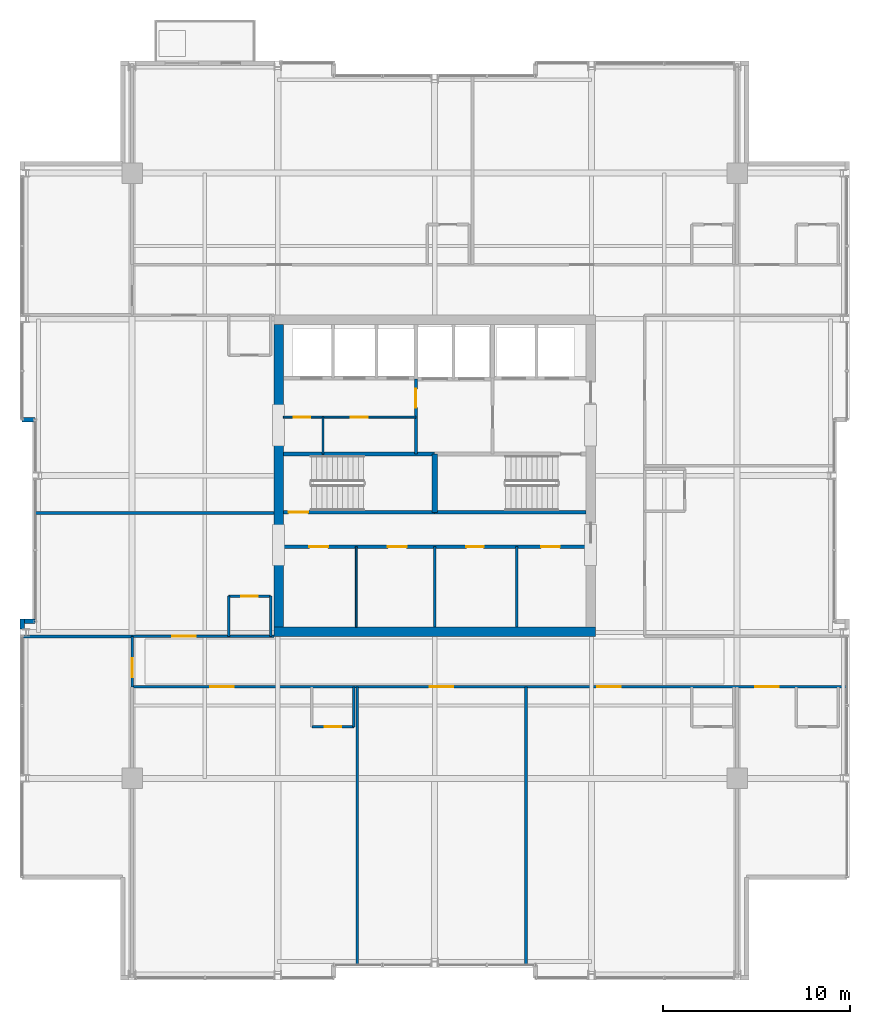
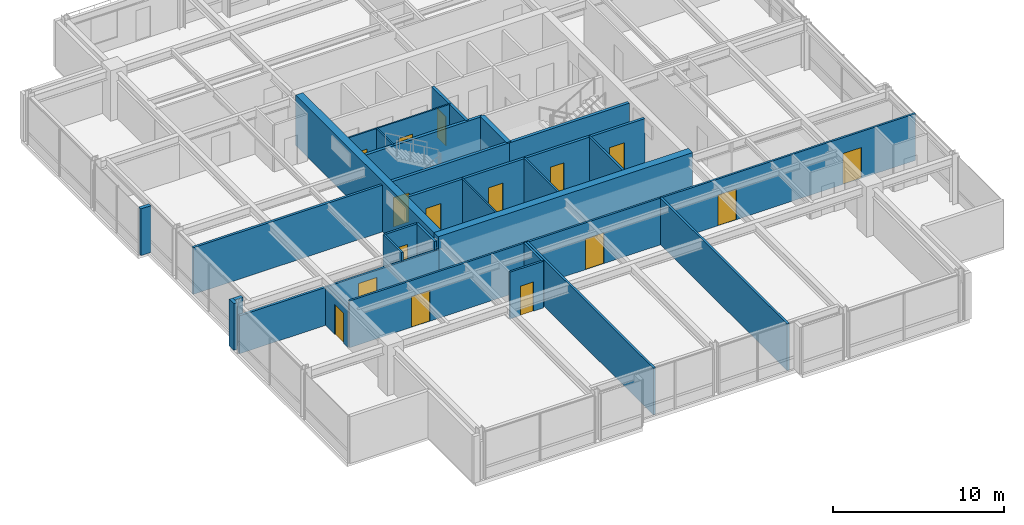
# One storey, part 25 of 30: 28 walls, 16 doors, 16 openings.
"""IFC4 building model written with IfcOpenShell, lengths in metres."""

import ifcopenshell
import ifcopenshell.guid

model = None  # the IFC model being written
_history = None  # IfcOwnerHistory: only IFC2X3 demands one
_inside = {}  # id of a spatial element -> (the spatial element, [elements in it])
_under = {}  # id of a project, library or spatial element -> (it, [spatial elements below it])
_declared = {}  # id of a project -> (the project, [libraries it declares])
_typed = {}  # id of a type object -> (the type object, [elements of that type])
_made_of = {}  # id of a material, layer set ... -> (it, [elements and type objects made of it])


def new_model(schema):
    """Start an empty IFC model of exactly this schema.

    Asked for "IFC4X3", IfcOpenShell would pick the latest addendum, in which some entities
    have other attributes; the version numbers below select the first issue.
    IFC2X3 requires an IfcOwnerHistory on every rooted entity: one is made here for all.
    """
    global model, _history
    if schema == "IFC4X3":
        model = ifcopenshell.file(schema_version=(4, 3, 0, 0))
    else:
        model = ifcopenshell.file(schema=schema)
    _inside.clear()
    _under.clear()
    _declared.clear()
    _typed.clear()
    _made_of.clear()
    _history = None
    if model.schema == "IFC2X3":
        org = make("IfcOrganization", Name="unknown")
        user = make(
            "IfcPersonAndOrganization",
            ThePerson=make("IfcPerson", FamilyName="unknown"),
            TheOrganization=org,
        )
        app = make(
            "IfcApplication",
            ApplicationDeveloper=org,
            Version="unknown",
            ApplicationFullName="unknown",
            ApplicationIdentifier="unknown",
        )
        _history = make(
            "IfcOwnerHistory",
            OwningUser=user,
            OwningApplication=app,
            ChangeAction="ADDED",
            CreationDate=0,
        )
    return model


def make(cls, **values):
    """One entity of the class cls with the attributes given. An attribute that is None is left unset."""
    return model.create_entity(
        cls, **{name: value for name, value in values.items() if value is not None}
    )


def rooted(cls, **values):
    """An entity with a GlobalId (a new one), such as an element, a storey or a relation."""
    return make(cls, GlobalId=ifcopenshell.guid.new(), OwnerHistory=_history, **values)


def si_unit(unit_type, name, prefix=None):
    """IfcSIUnit, for example si_unit("LENGTHUNIT", "METRE", prefix="MILLI")."""
    return make("IfcSIUnit", UnitType=unit_type, Prefix=prefix, Name=name)


def assignment(units):
    """IfcUnitAssignment: the units of a project."""
    return None if units is None else make("IfcUnitAssignment", Units=units)


def point(xyz):
    """IfcCartesianPoint."""
    return None if xyz is None else make("IfcCartesianPoint", Coordinates=xyz)


def direction(xyz):
    """IfcDirection."""
    return None if xyz is None else make("IfcDirection", DirectionRatios=xyz)


def frame(location, z_axis=None, x_axis=None):
    """IfcAxis2Placement3D, a coordinate frame: its origin and axes. An axis left out is left unset."""
    return make(
        "IfcAxis2Placement3D",
        Location=point(location),
        Axis=direction(z_axis),
        RefDirection=direction(x_axis),
    )


def frame_2d(location, x_axis=None):
    """IfcAxis2Placement2D, a coordinate frame in the plane: its origin and x axis."""
    return make(
        "IfcAxis2Placement2D", Location=point(location), RefDirection=direction(x_axis)
    )


def origin():
    """The frame at (0, 0, 0) with its axes left unset."""
    return frame((0.0, 0.0, 0.0))


def place(relative_to, where):
    """IfcLocalPlacement: puts the frame where relative to a parent placement (None: the world)."""
    return make(
        "IfcLocalPlacement", PlacementRelTo=relative_to, RelativePlacement=where
    )


def context(
    kind, dimensions, precision=None, world=None, true_north=None, identifier=None
):
    """IfcGeometricRepresentationContext, for example the 3D "Model" context."""
    return make(
        "IfcGeometricRepresentationContext",
        ContextIdentifier=identifier,
        ContextType=kind,
        CoordinateSpaceDimension=dimensions,
        Precision=precision,
        WorldCoordinateSystem=world,
        TrueNorth=true_north,
    )


def subcontext(parent, identifier, kind, view, scale=None):
    """IfcGeometricRepresentationSubContext, for example "Body" below "Model"."""
    return make(
        "IfcGeometricRepresentationSubContext",
        ContextIdentifier=identifier,
        ContextType=kind,
        ParentContext=parent,
        TargetScale=scale,
        TargetView=view,
    )


def project(units=None, contexts=None):
    """IfcProject with its units and contexts."""
    return rooted(
        "IfcProject",
        Name="project",
        RepresentationContexts=contexts,
        UnitsInContext=assignment(units),
    )


def spatial(cls, under=None, at=None, **own):
    """A site, building, storey or space (cls), placed at a placement, below another one or the project."""
    s = rooted(cls, ObjectPlacement=at, **own)
    if under is not None:
        _under.setdefault(under.id(), (under, []))[1].append(s)
    return s


def profile(cls, at=None, kind="AREA", **sizes):
    """A parametric profile (cls). Its sizes go by their IFC names, for example OverallWidth=200.0."""
    return make(cls, ProfileType=kind, Position=at, **sizes)


def rectangle(**sizes):
    """IfcRectangleProfileDef."""
    return profile("IfcRectangleProfileDef", **sizes)


def extrude(swept, where, along, depth):
    """IfcExtrudedAreaSolid: the profile swept, set in the frame where, extruded along a direction by depth."""
    return make(
        "IfcExtrudedAreaSolid",
        SweptArea=swept,
        Position=where,
        ExtrudedDirection=direction(along),
        Depth=depth,
    )


def shape(context_of_items, identifier, shape_type, items):
    """IfcShapeRepresentation: the items that make up one representation, for example the "Body"."""
    return make(
        "IfcShapeRepresentation",
        ContextOfItems=context_of_items,
        RepresentationIdentifier=identifier,
        RepresentationType=shape_type,
        Items=items,
    )


def material(Name=None, Category=None):
    """IfcMaterial."""
    return make("IfcMaterial", Name=Name, Category=Category)


def layer(
    of_material, thickness, ventilated=None, Name=None, Category=None, Priority=None
):
    """IfcMaterialLayer: one layer of a wall or slab, of a material (None: an air gap)."""
    return make(
        "IfcMaterialLayer",
        Material=of_material,
        LayerThickness=thickness,
        IsVentilated=ventilated,
        Name=Name,
        Category=Category,
        Priority=Priority,
    )


def layer_set(layers, Name=None):
    """IfcMaterialLayerSet."""
    return make("IfcMaterialLayerSet", MaterialLayers=layers, LayerSetName=Name)


def made_of(thing, what):
    """Note that an element or type object is made of a material, layer set ...; save() writes the relation."""
    if what is not None:
        _made_of.setdefault(what.id(), (what, []))[1].append(thing)
    return thing


def type_object(cls, material=None, **own):
    """A type object (cls), such as IfcWallType, which elements share."""
    return made_of(rooted(cls, **own), material)


def element(
    cls,
    number,
    at=None,
    inside=None,
    cuts=None,
    type_object=None,
    material=None,
    context=None,
    identifier="Body",
    shape_type=None,
    held_by="IfcProductDefinitionShape",
    body=None,
    shapes=None,
    **own,
):
    """One element of the class cls, such as IfcWall. Its Tag is "e" and its number.

    at: its placement. inside: the storey or other place that contains it. cuts: it is an
    opening in that element (IfcRelVoidsElement). A single representation is given by context,
    identifier, shape_type and body (its items); several are given by shapes. held_by: the class
    of the entity that holds the representations. save() writes the other relations.
    """
    e = rooted(cls, Tag="e%d" % number, ObjectPlacement=at, **own)
    if body is not None:
        shapes = [shape(context, identifier, shape_type, body)]
    if shapes is not None:
        e.Representation = make(held_by, Representations=shapes)
    if inside is not None:
        _inside.setdefault(inside.id(), (inside, []))[1].append(e)
    if cuts is not None:
        rooted(
            "IfcRelVoidsElement", RelatingBuildingElement=cuts, RelatedOpeningElement=e
        )
    if type_object is not None:
        _typed.setdefault(type_object.id(), (type_object, []))[1].append(e)
    return made_of(e, material)


def fill(opening, filler):
    """IfcRelFillsElement: the door or window that sits in an opening."""
    return rooted(
        "IfcRelFillsElement",
        RelatingOpeningElement=opening,
        RelatedBuildingElement=filler,
    )


def aggregate(whole, parts):
    """IfcRelAggregates: a whole, such as a stair, and the parts it consists of."""
    return rooted("IfcRelAggregates", RelatingObject=whole, RelatedObjects=parts)


def save(model, path):
    """Write the relations noted so far, then the file.

    IfcRelAggregates (storeys below a building ...), IfcRelContainedInSpatialStructure (elements
    in a storey), IfcRelDefinesByType, IfcRelAssociatesMaterial and IfcRelDeclares: one each for
    every whole, place, type object, material and project.
    """
    for whole, parts in _under.values():
        aggregate(whole, parts)
    for where, things in _inside.values():
        rooted(
            "IfcRelContainedInSpatialStructure",
            RelatedElements=things,
            RelatingStructure=where,
        )
    for kind, things in _typed.values():
        rooted("IfcRelDefinesByType", RelatedObjects=things, RelatingType=kind)
    for what, things in _made_of.values():
        rooted("IfcRelAssociatesMaterial", RelatedObjects=things, RelatingMaterial=what)
    for by, libraries in _declared.values():
        rooted("IfcRelDeclares", RelatingContext=by, RelatedDefinitions=libraries)
    model.write(path)


model = new_model("IFC4")

# Units and contexts
model_context = context("Model", 3, precision=1e-05, world=origin(), true_north=direction((0.0, 1.0)))
body_context = subcontext(model_context, "Body", "Model", "MODEL_VIEW")
ifc_project = project(units=[si_unit("LENGTHUNIT", "METRE"), si_unit("AREAUNIT", "SQUARE_METRE"), si_unit("VOLUMEUNIT", "CUBIC_METRE"), si_unit("PLANEANGLEUNIT", "RADIAN"), si_unit("MASSUNIT", "GRAM", prefix="KILO")], contexts=[model_context])

# Site, building, storey
site_placement = place(None, origin())
site = spatial("IfcSite", under=ifc_project, at=site_placement, CompositionType="ELEMENT")
building_placement = place(site_placement, origin())
building = spatial("IfcBuilding", under=site, at=building_placement, Name="Drelvath Grand Hotel", CompositionType="ELEMENT")
storey_placement = place(building_placement, frame((0.0, 0.0, 215.89990234375)))
storey = spatial("IfcBuildingStorey", under=building, at=storey_placement, Name="L56", CompositionType="ELEMENT", Elevation=215.89990234375)

# Wall, openings, doors
ifc_material_1 = material(Name="Gypsum Partition Board")
ifc_layer_1 = layer(ifc_material_1, 0.10009765625)
ifc_layer_set_1 = layer_set([ifc_layer_1], Name="Gypsum Partition Board")
wall_type_1 = type_object("IfcWallType", Name="Core Closet Partition 100", PredefinedType="PARTITIONING", material=ifc_layer_set_1)
wall_1_placement = place(storey_placement, frame((-8.10009765625, 30.139892578125, 0.0), z_axis=(0.0, 0.0, 1.0), x_axis=(1.0, 0.0, 0.0)))
wall_1 = element("IfcWall", 1, at=wall_1_placement, inside=storey, type_object=wall_type_1, Name="L56 High-Rise Lobby Closet Wall", PredefinedType="PARTITIONING", context=body_context, shape_type="SweptSolid", body=[
    extrude(rectangle(XDim=7.10009765625, YDim=0.10009765625, at=frame_2d((3.550048828125, 0.0))), origin(), (0.0, 0.0, 1.0), 3.340087890625),
])
opening_1_placement = place(wall_1_placement, frame((0.550048828125, 0.0, 0.0)))
opening_1 = element("IfcOpeningElement", 2, at=opening_1_placement, cuts=wall_1, Name="Opening D-T4G2-013", PredefinedType="OPENING", context=body_context, shape_type="SweptSolid", body=[
    extrude(rectangle(XDim=0.8798828125, YDim=2.10009765625, at=frame_2d((0.43994140625, 1.050048828125))), frame((0.0, 0.06005859375, 0.0), z_axis=(0.0, -1.0, 0.0), x_axis=(1.0, 0.0, 0.0)), (0.0, 0.0, 1.0), 0.1201171875),
])
opening_2_placement = place(wall_1_placement, frame((3.60009765625, 0.0, 0.0)))
opening_2 = element("IfcOpeningElement", 3, at=opening_2_placement, cuts=wall_1, Name="Opening D-T4G2-014", PredefinedType="OPENING", context=body_context, shape_type="SweptSolid", body=[
    extrude(rectangle(XDim=0.919921875, YDim=2.10009765625, at=frame_2d((0.4599609375, 1.050048828125))), frame((0.0, 0.06005859375, 0.0), z_axis=(0.0, -1.0, 0.0), x_axis=(1.0, 0.0, 0.0)), (0.0, 0.0, 1.0), 0.1201171875),
])
ifc_material_2 = material(Name="Hardwood Walnut Timber", Category="wood")
door_type_1 = type_object("IfcDoorType", Name="En-Suite Bathroom Door 880x2100", OperationType="NOTDEFINED", PredefinedType="DOOR", material=ifc_material_2)
door_1_placement = place(opening_1_placement, origin())
door_1 = element("IfcDoor", 4, at=door_1_placement, inside=storey, type_object=door_type_1, Name="L56 Low-Voltage Closet Door", OperationType="SINGLE_SWING_RIGHT", OverallHeight=2.10009765625, OverallWidth=0.8798828125, PredefinedType="DOOR", context=body_context, shape_type="SweptSolid", body=[
    extrude(rectangle(XDim=0.8798828125, YDim=2.10009765625, at=frame_2d((0.43994140625, 1.050048828125))), frame((0.0, 0.02490234375, 0.0), z_axis=(0.0, -1.0, 0.0), x_axis=(1.0, 0.0, 0.0)), (0.0, 0.0, 1.0), 0.050048828125),
])
fill(opening_1, door_1)
ifc_material_3 = material(Name="Painted Steel S275", Category="steel")
door_type_2 = type_object("IfcDoorType", Name="Staff Utility Door 920x2100", OperationType="NOTDEFINED", PredefinedType="DOOR", material=ifc_material_3)
door_2_placement = place(opening_2_placement, origin())
door_2 = element("IfcDoor", 5, at=door_2_placement, inside=storey, type_object=door_type_2, Name="L56 Telecom Distribution Door", OperationType="SINGLE_SWING_LEFT", OverallHeight=2.10009765625, OverallWidth=0.919921875, PredefinedType="DOOR", context=body_context, shape_type="SweptSolid", body=[
    extrude(rectangle(XDim=0.919921875, YDim=2.10009765625, at=frame_2d((0.4599609375, 1.050048828125))), frame((0.0, 0.02490234375, 0.0), z_axis=(0.0, -1.0, 0.0), x_axis=(1.0, 0.0, 0.0)), (0.0, 0.0, 1.0), 0.050048828125),
])
fill(opening_2, door_2)

# Walls
wall_2_placement = place(storey_placement, frame((-5.97998046875, 28.159912109375, 0.0), z_axis=(0.0, 0.0, 1.0), x_axis=(0.0, 1.0, 0.0)))
element("IfcWall", 6, at=wall_2_placement, inside=storey, type_object=wall_type_1, Name="L56 Core Closet Split 2", PredefinedType="PARTITIONING", context=body_context, shape_type="SweptSolid", body=[
    extrude(rectangle(XDim=1.97998046875, YDim=0.10009765625, at=frame_2d((0.989990234375, 0.0))), origin(), (0.0, 0.0, 1.0), 3.340087890625),
])
wall_3_placement = place(storey_placement, frame((-4.199951171875, 18.89990234375, 0.0), z_axis=(0.0, 0.0, 1.0), x_axis=(0.0, 1.0, 0.0)))
element("IfcWall", 7, at=wall_3_placement, inside=storey, type_object=wall_type_1, Name="L56 Upper Core Split 2A", PredefinedType="PARTITIONING", context=body_context, shape_type="SweptSolid", body=[
    extrude(rectangle(XDim=4.300048828125, YDim=0.10009765625, at=frame_2d((2.14990234375, 0.0))), origin(), (0.0, 0.0, 1.0), 3.340087890625),
])

# Wall, opening, door
ifc_material_4 = material(Name="Concrete C40/50", Category="concrete")
ifc_layer_2 = layer(ifc_material_4, 0.199951171875)
ifc_layer_set_2 = layer_set([ifc_layer_2], Name="Concrete C40/50")
wall_type_2 = type_object("IfcWallType", Name="Core Shaft Fire Wall 200", PredefinedType="SOLIDWALL", material=ifc_layer_set_2)
wall_4_placement = place(storey_placement, frame((-8.10009765625, 25.0400390625, 0.0), z_axis=(0.0, 0.0, 1.0), x_axis=(1.0, 0.0, 0.0)))
wall_4 = element("IfcWall", 8, at=wall_4_placement, inside=storey, type_object=wall_type_2, Name="L56 Stair ST-1 South Wall", PredefinedType="SOLIDWALL", context=body_context, shape_type="SweptSolid", body=[
    extrude(rectangle(XDim=8.10009765625, YDim=0.199951171875, at=frame_2d((4.050048828125, 0.0))), origin(), (0.0, 0.0, 1.0), 3.340087890625),
])
opening_3_placement = place(wall_4_placement, frame((0.280029296875, 0.0, 0.0)))
opening_3 = element("IfcOpeningElement", 9, at=opening_3_placement, cuts=wall_4, Name="Opening D-T4G2-001", PredefinedType="OPENING", context=body_context, shape_type="SweptSolid", body=[
    extrude(rectangle(XDim=1.050048828125, YDim=2.10009765625, at=frame_2d((0.52490234375, 1.050048828125))), frame((0.0, 0.10986328125, 0.0), z_axis=(0.0, -1.0, 0.0), x_axis=(1.0, 0.0, 0.0)), (0.0, 0.0, 1.0), 0.219970703125),
])
door_type_3 = type_object("IfcDoorType", Name="Tower Stairwell Fire Door 1050x2100", OperationType="NOTDEFINED", PredefinedType="DOOR", material=ifc_material_3)
door_3_placement = place(opening_3_placement, origin())
door_3 = element("IfcDoor", 10, at=door_3_placement, inside=storey, type_object=door_type_3, Name="L56 Exit Stair ST-1 Door", OperationType="SINGLE_SWING_LEFT", OverallHeight=2.10009765625, OverallWidth=1.050048828125, PredefinedType="DOOR", context=body_context, shape_type="SweptSolid", body=[
    extrude(rectangle(XDim=1.050048828125, YDim=2.10009765625, at=frame_2d((0.52490234375, 1.050048828125))), frame((0.0, 0.02490234375, 0.0), z_axis=(0.0, -1.0, 0.0), x_axis=(1.0, 0.0, 0.0)), (0.0, 0.0, 1.0), 0.050048828125),
])
fill(opening_3, door_3)

# Walls
for number, where, z_axis, x_axis, name in (
    (11, (-8.10009765625, 28.159912109375, 0.0), (0.0, 0.0, 1.0), (1.0, 0.0, 0.0), "L56 Stair ST-1 North Wall"),
    (12, (0.0, 25.0400390625, 0.0), (0.0, 0.0, 1.0), (1.0, 0.0, 0.0), "L56 Stair ST-2 South Wall"),
):
    element("IfcWall", number, at=place(storey_placement, frame(where, z_axis=z_axis, x_axis=x_axis)), inside=storey, type_object=wall_type_2, Name=name, PredefinedType="SOLIDWALL", context=body_context, shape_type="SweptSolid", body=[
        extrude(rectangle(XDim=8.10009765625, YDim=0.199951171875, at=frame_2d((4.050048828125, 0.0))), origin(), (0.0, 0.0, 1.0), 3.340087890625),
    ])
ifc_layer_3 = layer(ifc_material_4, 0.300048828125)
ifc_layer_set_3 = layer_set([ifc_layer_3], Name="Concrete C40/50")
wall_type_3 = type_object("IfcWallType", Name="Core Shaft Fire Wall 300", PredefinedType="SOLIDWALL", material=ifc_layer_set_3)
wall_5_placement = place(storey_placement, frame((0.0, 25.0400390625, 0.0), z_axis=(0.0, 0.0, 1.0), x_axis=(0.0, 1.0, 0.0)))
element("IfcWall", 13, at=wall_5_placement, inside=storey, type_object=wall_type_3, Name="L56 Core Stair Divider Wall", PredefinedType="SOLIDWALL", context=body_context, shape_type="SweptSolid", body=[
    extrude(rectangle(XDim=3.119873046875, YDim=0.300048828125, at=frame_2d((1.56005859375, 0.0))), origin(), (0.0, 0.0, 1.0), 3.340087890625),
])

# Wall, openings, doors
ifc_material_5 = material(Name="Gypsum Fireboard Partition")
ifc_layer_4 = layer(ifc_material_5, 0.135009765625)
ifc_layer_set_4 = layer_set([ifc_layer_4], Name="Gypsum Fireboard Partition")
wall_type_4 = type_object("IfcWallType", Name="Corridor Fire Barrier Wall 135", PredefinedType="PARTITIONING", material=ifc_layer_set_4)
wall_6_placement = place(storey_placement, frame((-16.199951171875, 15.699951171875, 0.0), z_axis=(0.0, 0.0, 1.0), x_axis=(1.0, 0.0, 0.0)))
wall_6 = element("IfcWall", 14, at=wall_6_placement, inside=storey, type_object=wall_type_4, Name="L56 South Cross-Gallery Wall", PredefinedType="PARTITIONING", context=body_context, shape_type="SweptSolid", body=[
    extrude(rectangle(XDim=38.280029296875, YDim=0.135009765625, at=frame_2d((19.14013671875, 0.0))), origin(), (0.0, 0.0, 1.0), 3.340087890625),
])
opening_4_placement = place(wall_6_placement, frame((33.35498046875, 0.0, 0.0)))
opening_4 = element("IfcOpeningElement", 15, at=opening_4_placement, cuts=wall_6, Name="Opening D-T4G2-023", PredefinedType="OPENING", context=body_context, shape_type="SweptSolid", body=[
    extrude(rectangle(XDim=1.260009765625, YDim=2.199951171875, at=frame_2d((0.6298828125, 1.10009765625))), frame((0.0, 0.077392578125, 0.0), z_axis=(0.0, -1.0, 0.0), x_axis=(1.0, 0.0, 0.0)), (0.0, 0.0, 1.0), 0.155029296875),
])
opening_5_placement = place(wall_6_placement, frame((4.182861328125, 0.0, 0.0)))
opening_5 = element("IfcOpeningElement", 16, at=opening_5_placement, cuts=wall_6, Name="Opening D-T4G2-027", PredefinedType="OPENING", context=body_context, shape_type="SweptSolid", body=[
    extrude(rectangle(XDim=1.260009765625, YDim=2.199951171875, at=frame_2d((0.6298828125, 1.10009765625))), frame((0.0, 0.077392578125, 0.0), z_axis=(0.0, -1.0, 0.0), x_axis=(1.0, 0.0, 0.0)), (0.0, 0.0, 1.0), 0.155029296875),
])
opening_6_placement = place(wall_6_placement, frame((15.94677734375, 0.0, 0.0)))
opening_6 = element("IfcOpeningElement", 17, at=opening_6_placement, cuts=wall_6, Name="Opening D-T4G2-028", PredefinedType="OPENING", context=body_context, shape_type="SweptSolid", body=[
    extrude(rectangle(XDim=1.260009765625, YDim=2.199951171875, at=frame_2d((0.6298828125, 1.10009765625))), frame((0.0, 0.077392578125, 0.0), z_axis=(0.0, -1.0, 0.0), x_axis=(1.0, 0.0, 0.0)), (0.0, 0.0, 1.0), 0.155029296875),
])
opening_7_placement = place(wall_6_placement, frame((24.90380859375, 0.0, 0.0)))
opening_7 = element("IfcOpeningElement", 18, at=opening_7_placement, cuts=wall_6, Name="Opening D-T4G2-030", PredefinedType="OPENING", context=body_context, shape_type="SweptSolid", body=[
    extrude(rectangle(XDim=1.260009765625, YDim=2.199951171875, at=frame_2d((0.6298828125, 1.10009765625))), frame((0.0, 0.077392578125, 0.0), z_axis=(0.0, -1.0, 0.0), x_axis=(1.0, 0.0, 0.0)), (0.0, 0.0, 1.0), 0.155029296875),
])
door_type_4 = type_object("IfcDoorType", Name="Suite Entrance Fire Door 1260x2200", OperationType="NOTDEFINED", PredefinedType="DOOR", material=ifc_material_2)
door_4_placement = place(opening_4_placement, origin())
door_4 = element("IfcDoor", 19, at=door_4_placement, inside=storey, type_object=door_type_4, Name="L56 Diplomatic Suite Entry Door", OperationType="SINGLE_SWING_RIGHT", OverallHeight=2.199951171875, OverallWidth=1.260009765625, PredefinedType="DOOR", context=body_context, shape_type="SweptSolid", body=[
    extrude(rectangle(XDim=1.260009765625, YDim=2.199951171875, at=frame_2d((0.6298828125, 1.10009765625))), frame((0.0, 0.02490234375, 0.0), z_axis=(0.0, -1.0, 0.0), x_axis=(1.0, 0.0, 0.0)), (0.0, 0.0, 1.0), 0.050048828125),
])
fill(opening_4, door_4)
door_5_placement = place(opening_5_placement, origin())
door_5 = element("IfcDoor", 20, at=door_5_placement, inside=storey, type_object=door_type_4, Name="L56 Diplomatic Suite Entry Door", OperationType="SINGLE_SWING_RIGHT", OverallHeight=2.199951171875, OverallWidth=1.260009765625, PredefinedType="DOOR", context=body_context, shape_type="SweptSolid", body=[
    extrude(rectangle(XDim=1.260009765625, YDim=2.199951171875, at=frame_2d((0.6298828125, 1.10009765625))), frame((0.0, 0.02490234375, 0.0), z_axis=(0.0, -1.0, 0.0), x_axis=(1.0, 0.0, 0.0)), (0.0, 0.0, 1.0), 0.050048828125),
])
fill(opening_5, door_5)
door_6_placement = place(opening_6_placement, origin())
door_6 = element("IfcDoor", 21, at=door_6_placement, inside=storey, type_object=door_type_4, Name="L56 Private Spa Suite Room Entry Door", OperationType="SINGLE_SWING_LEFT", OverallHeight=2.199951171875, OverallWidth=1.260009765625, PredefinedType="DOOR", context=body_context, shape_type="SweptSolid", body=[
    extrude(rectangle(XDim=1.260009765625, YDim=2.199951171875, at=frame_2d((0.6298828125, 1.10009765625))), frame((0.0, 0.02490234375, 0.0), z_axis=(0.0, -1.0, 0.0), x_axis=(1.0, 0.0, 0.0)), (0.0, 0.0, 1.0), 0.050048828125),
])
fill(opening_6, door_6)
door_7_placement = place(opening_7_placement, origin())
door_7 = element("IfcDoor", 22, at=door_7_placement, inside=storey, type_object=door_type_4, Name="L56 Diplomatic Suite Entry Door", OperationType="SINGLE_SWING_LEFT", OverallHeight=2.199951171875, OverallWidth=1.260009765625, PredefinedType="DOOR", context=body_context, shape_type="SweptSolid", body=[
    extrude(rectangle(XDim=1.260009765625, YDim=2.199951171875, at=frame_2d((0.6298828125, 1.10009765625))), frame((0.0, 0.02490234375, 0.0), z_axis=(0.0, -1.0, 0.0), x_axis=(1.0, 0.0, 0.0)), (0.0, 0.0, 1.0), 0.050048828125),
])
fill(opening_7, door_7)

# Wall, opening, door
wall_7_placement = place(storey_placement, frame((-16.199951171875, 18.39990234375, 0.0), z_axis=(0.0, 0.0, 1.0), x_axis=(1.0, 0.0, 0.0)))
wall_7 = element("IfcWall", 23, at=wall_7_placement, inside=storey, type_object=wall_type_4, Name="L56 South Gallery Inner West Wall", PredefinedType="PARTITIONING", context=body_context, shape_type="SweptSolid", body=[
    extrude(rectangle(XDim=7.599853515625, YDim=0.135009765625, at=frame_2d((3.7998046875, 0.0))), origin(), (0.0, 0.0, 1.0), 2.717529296875),
])
opening_8_placement = place(wall_7_placement, frame((2.155029296875, 0.0, 0.0)))
opening_8 = element("IfcOpeningElement", 24, at=opening_8_placement, cuts=wall_7, Name="Opening D-T4G2-039", PredefinedType="OPENING", context=body_context, shape_type="SweptSolid", body=[
    extrude(rectangle(XDim=1.260009765625, YDim=2.199951171875, at=frame_2d((0.6298828125, 1.10009765625))), frame((0.0, 0.077392578125, 0.0), z_axis=(0.0, -1.0, 0.0), x_axis=(1.0, 0.0, 0.0)), (0.0, 0.0, 1.0), 0.155029296875),
])
door_8_placement = place(opening_8_placement, origin())
door_8 = element("IfcDoor", 25, at=door_8_placement, inside=storey, type_object=door_type_4, Name="L56 Diplomatic Suite Entry Door", OperationType="SINGLE_SWING_RIGHT", OverallHeight=2.199951171875, OverallWidth=1.260009765625, PredefinedType="DOOR", context=body_context, shape_type="SweptSolid", body=[
    extrude(rectangle(XDim=1.260009765625, YDim=2.199951171875, at=frame_2d((0.6298828125, 1.10009765625))), frame((0.0, 0.02490234375, 0.0), z_axis=(0.0, -1.0, 0.0), x_axis=(1.0, 0.0, 0.0)), (0.0, 0.0, 1.0), 0.050048828125),
])
fill(opening_8, door_8)

wall_8_placement = place(storey_placement, frame((-16.199951171875, 15.699951171875, 0.0), z_axis=(0.0, 0.0, 1.0), x_axis=(0.0, 1.0, 0.0)))
wall_8 = element("IfcWall", 26, at=wall_8_placement, inside=storey, type_object=wall_type_4, Name="L56 South Gallery West End", PredefinedType="PARTITIONING", context=body_context, shape_type="SweptSolid", body=[
    extrude(rectangle(XDim=2.699951171875, YDim=0.135009765625, at=frame_2d((1.35009765625, 0.0))), origin(), (0.0, 0.0, 1.0), 2.7138671875),
])
opening_9_placement = place(wall_8_placement, frame((0.52001953125, 0.0, 0.0)))
opening_9 = element("IfcOpeningElement", 27, at=opening_9_placement, cuts=wall_8, Name="Opening D-T4G2-020", PredefinedType="OPENING", context=body_context, shape_type="SweptSolid", body=[
    extrude(rectangle(XDim=1.02001953125, YDim=2.14990234375, at=frame_2d((0.510009765625, 1.074951171875))), frame((0.0, 0.077392578125, 0.0), z_axis=(0.0, -1.0, 0.0), x_axis=(1.0, 0.0, 0.0)), (0.0, 0.0, 1.0), 0.155029296875),
])
door_type_5 = type_object("IfcDoorType", Name="Amenity Meeting Fire Door 1020x2150", OperationType="NOTDEFINED", PredefinedType="DOOR", material=ifc_material_2)
door_9_placement = place(opening_9_placement, origin())
door_9 = element("IfcDoor", 28, at=door_9_placement, inside=storey, type_object=door_type_5, Name="L56 Corner Panorama Lounge Door", OperationType="SINGLE_SWING_LEFT", OverallHeight=2.14990234375, OverallWidth=1.02001953125, PredefinedType="DOOR", context=body_context, shape_type="SweptSolid", body=[
    extrude(rectangle(XDim=1.02001953125, YDim=2.14990234375, at=frame_2d((0.510009765625, 1.074951171875))), frame((0.0, 0.02490234375, 0.0), z_axis=(0.0, -1.0, 0.0), x_axis=(1.0, 0.0, 0.0)), (0.0, 0.0, 1.0), 0.050048828125),
])
fill(opening_9, door_9)

# Walls
ifc_material_6 = material(Name="Moisture-Resistant Gypsum Board")
ifc_layer_5 = layer(ifc_material_6, 0.139892578125)
ifc_layer_set_5 = layer_set([ifc_layer_5], Name="Moisture-Resistant Gypsum Board")
wall_type_5 = type_object("IfcWallType", Name="En-Suite Plumbing Wall 140", PredefinedType="PLUMBINGWALL", material=ifc_layer_set_5)
for number, where, z_axis, x_axis, name in (
    (29, (0.0, 18.89990234375, 0.0), (0.0, 0.0, 1.0), (0.0, 1.0, 0.0), "L56 Upper Core Split 2B"),
    (30, (4.39990234375, 18.89990234375, 0.0), (0.0, 0.0, 1.0), (0.0, 1.0, 0.0), "L56 Upper Core Split 2C"),
):
    element("IfcWall", number, at=place(storey_placement, frame(where, z_axis=z_axis, x_axis=x_axis)), inside=storey, type_object=wall_type_5, Name=name, PredefinedType="PLUMBINGWALL", context=body_context, shape_type="SweptSolid", body=[
        extrude(rectangle(XDim=4.300048828125, YDim=0.139892578125, at=frame_2d((2.14990234375, 0.0))), origin(), (0.0, 0.0, 1.0), 3.340087890625),
    ])
wall_9_placement = place(storey_placement, frame((-4.32421875, 15.699951171875, 0.0), z_axis=(0.0, 0.0, 1.0), x_axis=(0.0, -1.0, 0.0)))
element("IfcWall", 31, at=wall_9_placement, inside=storey, type_object=wall_type_5, Name="L56 En-Suite Right Wall", PredefinedType="PLUMBINGWALL", context=body_context, shape_type="SweptSolid", body=[
    extrude(rectangle(XDim=2.14990234375, YDim=0.139892578125, at=frame_2d((1.074951171875, 0.0))), origin(), (0.0, 0.0, 1.0), 3.340087890625),
])

# Wall, opening, door
wall_10_placement = place(storey_placement, frame((-6.57421875, 13.550048828125, 0.0), z_axis=(0.0, 0.0, 1.0), x_axis=(1.0, 0.0, 0.0)))
wall_10 = element("IfcWall", 32, at=wall_10_placement, inside=storey, type_object=wall_type_5, Name="L56 En-Suite Front Wall", PredefinedType="PLUMBINGWALL", context=body_context, shape_type="SweptSolid", body=[
    extrude(rectangle(XDim=2.25, YDim=0.139892578125, at=frame_2d((1.125, 0.0))), origin(), (0.0, 0.0, 1.0), 3.340087890625),
])
opening_10_placement = place(wall_10_placement, frame((0.68505859375, 0.0, 0.0)))
opening_10 = element("IfcOpeningElement", 33, at=opening_10_placement, cuts=wall_10, Name="Opening D-T4G2-026", PredefinedType="OPENING", context=body_context, shape_type="SweptSolid", body=[
    extrude(rectangle(XDim=0.8798828125, YDim=2.10009765625, at=frame_2d((0.43994140625, 1.050048828125))), frame((0.0, 0.079833984375, 0.0), z_axis=(0.0, -1.0, 0.0), x_axis=(1.0, 0.0, 0.0)), (0.0, 0.0, 1.0), 0.159912109375),
])
door_10_placement = place(opening_10_placement, origin())
door_10 = element("IfcDoor", 34, at=door_10_placement, inside=storey, type_object=door_type_1, Name="L56 En-Suite Bathroom Door", OperationType="SINGLE_SWING_LEFT", OverallHeight=2.10009765625, OverallWidth=0.8798828125, PredefinedType="DOOR", context=body_context, shape_type="SweptSolid", body=[
    extrude(rectangle(XDim=0.8798828125, YDim=2.10009765625, at=frame_2d((0.43994140625, 1.050048828125))), frame((0.0, 0.02490234375, 0.0), z_axis=(0.0, -1.0, 0.0), x_axis=(1.0, 0.0, 0.0)), (0.0, 0.0, 1.0), 0.050048828125),
])
fill(opening_10, door_10)

# Walls
for number, where, z_axis, x_axis, name in (
    (35, (-11.030029296875, 18.39990234375, 0.0), (0.0, 0.0, 1.0), (0.0, 1.0, 0.0), "L56 En-Suite Left Wall"),
    (36, (-8.780029296875, 18.39990234375, 0.0), (0.0, 0.0, 1.0), (0.0, 1.0, 0.0), "L56 En-Suite Right Wall"),
):
    element("IfcWall", number, at=place(storey_placement, frame(where, z_axis=z_axis, x_axis=x_axis)), inside=storey, type_object=wall_type_5, Name=name, PredefinedType="PLUMBINGWALL", context=body_context, shape_type="SweptSolid", body=[
        extrude(rectangle(XDim=2.150146484375, YDim=0.139892578125, at=frame_2d((1.0751953125, 0.0))), origin(), (0.0, 0.0, 1.0), 3.340087890625),
    ])

# Wall, opening, door
wall_11_placement = place(storey_placement, frame((-11.030029296875, 20.550048828125, 0.0), z_axis=(0.0, 0.0, 1.0), x_axis=(1.0, 0.0, 0.0)))
wall_11 = element("IfcWall", 37, at=wall_11_placement, inside=storey, type_object=wall_type_5, Name="L56 En-Suite Front Wall", PredefinedType="PLUMBINGWALL", context=body_context, shape_type="SweptSolid", body=[
    extrude(rectangle(XDim=2.25, YDim=0.139892578125, at=frame_2d((1.125, 0.0))), origin(), (0.0, 0.0, 1.0), 3.340087890625),
])
opening_11_placement = place(wall_11_placement, frame((0.68505859375, 0.0, 0.0)))
opening_11 = element("IfcOpeningElement", 38, at=opening_11_placement, cuts=wall_11, Name="Opening D-T4G2-038", PredefinedType="OPENING", context=body_context, shape_type="SweptSolid", body=[
    extrude(rectangle(XDim=0.8798828125, YDim=2.10009765625, at=frame_2d((0.43994140625, 1.050048828125))), frame((0.0, 0.079833984375, 0.0), z_axis=(0.0, -1.0, 0.0), x_axis=(1.0, 0.0, 0.0)), (0.0, 0.0, 1.0), 0.159912109375),
])
door_11_placement = place(opening_11_placement, origin())
door_11 = element("IfcDoor", 39, at=door_11_placement, inside=storey, type_object=door_type_1, Name="L56 En-Suite Bathroom Door", OperationType="SINGLE_SWING_LEFT", OverallHeight=2.10009765625, OverallWidth=0.8798828125, PredefinedType="DOOR", context=body_context, shape_type="SweptSolid", body=[
    extrude(rectangle(XDim=0.8798828125, YDim=2.10009765625, at=frame_2d((0.43994140625, 1.050048828125))), frame((0.0, 0.02490234375, 0.0), z_axis=(0.0, -1.0, 0.0), x_axis=(1.0, 0.0, 0.0)), (0.0, 0.0, 1.0), 0.050048828125),
])
fill(opening_11, door_11)

ifc_layer_6 = layer(ifc_material_5, 0.179931640625)
ifc_layer_set_6 = layer_set([ifc_layer_6], Name="Gypsum Fireboard Partition")
wall_type_6 = type_object("IfcWallType", Name="FSAE Smoke Lobby Fire Wall 180", PredefinedType="SOLIDWALL", material=ifc_layer_set_6)
wall_12_placement = place(storey_placement, frame((-1.0, 28.159912109375, 0.0), z_axis=(0.0, 0.0, 1.0), x_axis=(0.0, 1.0, 0.0)))
wall_12 = element("IfcWall", 40, at=wall_12_placement, inside=storey, type_object=wall_type_6, Name="L56 Service Vestibule West Wall", PredefinedType="SOLIDWALL", context=body_context, shape_type="SweptSolid", body=[
    extrude(rectangle(XDim=4.02001953125, YDim=0.179931640625, at=frame_2d((2.010009765625, 0.0))), origin(), (0.0, 0.0, 1.0), 3.340087890625),
])
opening_12_placement = place(wall_12_placement, frame((2.489990234375, 0.0, 0.0)))
opening_12 = element("IfcOpeningElement", 41, at=opening_12_placement, cuts=wall_12, Name="Opening D-T4G2-009", PredefinedType="OPENING", context=body_context, shape_type="SweptSolid", body=[
    extrude(rectangle(XDim=1.0, YDim=2.10009765625, at=frame_2d((0.5, 1.050048828125))), frame((0.0, 0.099853515625, 0.0), z_axis=(0.0, -1.0, 0.0), x_axis=(1.0, 0.0, 0.0)), (0.0, 0.0, 1.0), 0.199951171875),
])
door_type_6 = type_object("IfcDoorType", Name="Core Service Fire Door 1000x2100", OperationType="NOTDEFINED", PredefinedType="DOOR", material=ifc_material_3)
door_12_placement = place(opening_12_placement, origin())
door_12 = element("IfcDoor", 42, at=door_12_placement, inside=storey, type_object=door_type_6, Name="L56 Service Vestibule West Door", OperationType="SINGLE_SWING_LEFT", OverallHeight=2.10009765625, OverallWidth=1.0, PredefinedType="DOOR", context=body_context, shape_type="SweptSolid", body=[
    extrude(rectangle(XDim=1.0, YDim=2.10009765625, at=frame_2d((0.5, 1.050048828125))), frame((0.0, 0.02490234375, 0.0), z_axis=(0.0, -1.0, 0.0), x_axis=(1.0, 0.0, 0.0)), (0.0, 0.0, 1.0), 0.050048828125),
])
fill(opening_12, door_12)

# Wall, openings, doors
wall_13_placement = place(storey_placement, frame((-8.10009765625, 23.199951171875, 0.0), z_axis=(0.0, 0.0, 1.0), x_axis=(1.0, 0.0, 0.0)))
wall_13 = element("IfcWall", 43, at=wall_13_placement, inside=storey, type_object=wall_type_6, Name="L56 Upper Reclaimed Core Wall", PredefinedType="SOLIDWALL", context=body_context, shape_type="SweptSolid", body=[
    extrude(rectangle(XDim=16.2001953125, YDim=0.179931640625, at=frame_2d((8.10009765625, 0.0))), origin(), (0.0, 0.0, 1.0), 3.340087890625),
])
opening_13_placement = place(wall_13_placement, frame((1.39990234375, 0.0, 0.0)))
opening_13 = element("IfcOpeningElement", 44, at=opening_13_placement, cuts=wall_13, Name="Opening D-T4G2-016", PredefinedType="OPENING", context=body_context, shape_type="SweptSolid", body=[
    extrude(rectangle(XDim=1.0, YDim=2.10009765625, at=frame_2d((0.5, 1.050048828125))), frame((0.0, 0.099853515625, 0.0), z_axis=(0.0, -1.0, 0.0), x_axis=(1.0, 0.0, 0.0)), (0.0, 0.0, 1.0), 0.199951171875),
])
opening_14_placement = place(wall_13_placement, frame((5.60009765625, 0.0, 0.0)))
opening_14 = element("IfcOpeningElement", 45, at=opening_14_placement, cuts=wall_13, Name="Opening D-T4G2-017", PredefinedType="OPENING", context=body_context, shape_type="SweptSolid", body=[
    extrude(rectangle(XDim=1.0, YDim=2.10009765625, at=frame_2d((0.5, 1.050048828125))), frame((0.0, 0.099853515625, 0.0), z_axis=(0.0, -1.0, 0.0), x_axis=(1.0, 0.0, 0.0)), (0.0, 0.0, 1.0), 0.199951171875),
])
opening_15_placement = place(wall_13_placement, frame((9.800048828125, 0.0, 0.0)))
opening_15 = element("IfcOpeningElement", 46, at=opening_15_placement, cuts=wall_13, Name="Opening D-T4G2-018", PredefinedType="OPENING", context=body_context, shape_type="SweptSolid", body=[
    extrude(rectangle(XDim=0.919921875, YDim=2.10009765625, at=frame_2d((0.4599609375, 1.050048828125))), frame((0.0, 0.099853515625, 0.0), z_axis=(0.0, -1.0, 0.0), x_axis=(1.0, 0.0, 0.0)), (0.0, 0.0, 1.0), 0.199951171875),
])
opening_16_placement = place(wall_13_placement, frame((13.800048828125, 0.0, 0.0)))
opening_16 = element("IfcOpeningElement", 47, at=opening_16_placement, cuts=wall_13, Name="Opening D-T4G2-019", PredefinedType="OPENING", context=body_context, shape_type="SweptSolid", body=[
    extrude(rectangle(XDim=1.0, YDim=2.10009765625, at=frame_2d((0.5, 1.050048828125))), frame((0.0, 0.099853515625, 0.0), z_axis=(0.0, -1.0, 0.0), x_axis=(1.0, 0.0, 0.0)), (0.0, 0.0, 1.0), 0.199951171875),
])
door_13_placement = place(opening_13_placement, origin())
door_13 = element("IfcDoor", 48, at=door_13_placement, inside=storey, type_object=door_type_6, Name="L56 Housekeeping Door", OperationType="SINGLE_SWING_LEFT", OverallHeight=2.10009765625, OverallWidth=1.0, PredefinedType="DOOR", context=body_context, shape_type="SweptSolid", body=[
    extrude(rectangle(XDim=1.0, YDim=2.10009765625, at=frame_2d((0.5, 1.050048828125))), frame((0.0, 0.02490234375, 0.0), z_axis=(0.0, -1.0, 0.0), x_axis=(1.0, 0.0, 0.0)), (0.0, 0.0, 1.0), 0.050048828125),
])
fill(opening_13, door_13)
door_14_placement = place(opening_14_placement, origin())
door_14 = element("IfcDoor", 49, at=door_14_placement, inside=storey, type_object=door_type_6, Name="L56 Valet Door", OperationType="SINGLE_SWING_RIGHT", OverallHeight=2.10009765625, OverallWidth=1.0, PredefinedType="DOOR", context=body_context, shape_type="SweptSolid", body=[
    extrude(rectangle(XDim=1.0, YDim=2.10009765625, at=frame_2d((0.5, 1.050048828125))), frame((0.0, 0.02490234375, 0.0), z_axis=(0.0, -1.0, 0.0), x_axis=(1.0, 0.0, 0.0)), (0.0, 0.0, 1.0), 0.050048828125),
])
fill(opening_14, door_14)
door_15_placement = place(opening_15_placement, origin())
door_15 = element("IfcDoor", 50, at=door_15_placement, inside=storey, type_object=door_type_6, Name="L56 Staff WC Door", OperationType="SINGLE_SWING_LEFT", OverallHeight=2.10009765625, OverallWidth=0.919921875, PredefinedType="DOOR", context=body_context, shape_type="SweptSolid", body=[
    extrude(rectangle(XDim=0.919921875, YDim=2.10009765625, at=frame_2d((0.4599609375, 1.050048828125))), frame((0.0, 0.02490234375, 0.0), z_axis=(0.0, -1.0, 0.0), x_axis=(1.0, 0.0, 0.0)), (0.0, 0.0, 1.0), 0.050048828125),
])
fill(opening_15, door_15)
door_16_placement = place(opening_16_placement, origin())
door_16 = element("IfcDoor", 51, at=door_16_placement, inside=storey, type_object=door_type_6, Name="L56 Telecom Door", OperationType="SINGLE_SWING_RIGHT", OverallHeight=2.10009765625, OverallWidth=1.0, PredefinedType="DOOR", context=body_context, shape_type="SweptSolid", body=[
    extrude(rectangle(XDim=1.0, YDim=2.10009765625, at=frame_2d((0.5, 1.050048828125))), frame((0.0, 0.02490234375, 0.0), z_axis=(0.0, -1.0, 0.0), x_axis=(1.0, 0.0, 0.0)), (0.0, 0.0, 1.0), 0.050048828125),
])
fill(opening_16, door_16)

# Walls
ifc_material_7 = material(Name="Gypsum Acoustic Partition")
ifc_layer_7 = layer(ifc_material_7, 0.14990234375)
ifc_layer_set_7 = layer_set([ifc_layer_7], Name="Gypsum Acoustic Partition")
wall_type_7 = type_object("IfcWallType", Name="Guestroom Demising Wall 150", PredefinedType="PARTITIONING", material=ifc_layer_set_7)
for number, where, z_axis, x_axis, name in (
    (52, (-4.144287109375, 0.800048828125, 0.0), (0.0, 0.0, 1.0), (0.0, 1.0, 0.0), "L56 South Demising 1"),
    (53, (4.897705078125, 0.800048828125, 0.0), (0.0, 0.0, 1.0), (0.0, 1.0, 0.0), "L56 South Demising 2"),
):
    element("IfcWall", number, at=place(storey_placement, frame(where, z_axis=z_axis, x_axis=x_axis)), inside=storey, type_object=wall_type_7, Name=name, PredefinedType="PARTITIONING", context=body_context, shape_type="SweptSolid", body=[
        extrude(rectangle(XDim=14.89990234375, YDim=0.14990234375, at=frame_2d((7.449951171875, 0.0))), origin(), (0.0, 0.0, 1.0), 3.340087890625),
    ])
ifc_layer_8 = layer(ifc_material_7, 0.1650390625)
ifc_layer_set_8 = layer_set([ifc_layer_8], Name="Gypsum Acoustic Partition")
wall_type_8 = type_object("IfcWallType", Name="Suite Demising Wall 165", PredefinedType="PARTITIONING", material=ifc_layer_set_8)
wall_14_placement = place(storey_placement, frame((-22.080078125, 18.39990234375, 0.0), z_axis=(0.0, 0.0, 1.0), x_axis=(1.0, 0.0, 0.0)))
element("IfcWall", 54, at=wall_14_placement, inside=storey, type_object=wall_type_8, Name="L56 SW Corner North Wall", PredefinedType="PARTITIONING", context=body_context, shape_type="SweptSolid", body=[
    extrude(rectangle(XDim=5.880126953125, YDim=0.1650390625, at=frame_2d((2.93994140625, 0.0))), origin(), (0.0, 0.0, 1.0), 2.7138671875),
])
wall_15_placement = place(storey_placement, frame((-21.39990234375, 25.0, 0.0), z_axis=(0.0, 0.0, 1.0), x_axis=(1.0, 0.0, 0.0)))
element("IfcWall", 55, at=wall_15_placement, inside=storey, type_object=wall_type_8, Name="L56 West Grand Suite Split Wall", PredefinedType="PARTITIONING", context=body_context, shape_type="SweptSolid", body=[
    extrude(rectangle(XDim=12.7998046875, YDim=0.1650390625, at=frame_2d((6.39990234375, 0.0))), origin(), (0.0, 0.0, 1.0), 3.340087890625),
])
ifc_material_8 = material(Name="Pale-Metal Insulated Aluminium Spandrel Assembly", Category="aluminium")
ifc_layer_9 = layer(ifc_material_8, 0.239990234375)
ifc_layer_set_9 = layer_set([ifc_layer_9], Name="Pale-Metal Insulated Aluminium Spandrel Assembly")
wall_type_9 = type_object("IfcWallType", Name="Tower Insulated Metal Spandrel Closure Wall 240", PredefinedType="STANDARD", material=ifc_layer_set_9)
wall_16_placement = place(storey_placement, frame((-22.080078125, 18.785400390625, 0.0), z_axis=(0.0, 0.0, 1.0), x_axis=(0.0, 1.0, 0.0)))
element("IfcWall", 56, at=wall_16_placement, inside=storey, type_object=wall_type_9, Name="L56 Corner Pier Spandrel Wall WS3", PredefinedType="STANDARD", context=body_context, shape_type="SweptSolid", body=[
    extrude(rectangle(XDim=0.53466796875, YDim=0.239990234375, at=frame_2d((0.267333984375, 0.0))), origin(), (0.0, 0.0, 1.0), 3.340087890625),
])
wall_17_placement = place(storey_placement, frame((-21.9599609375, 19.199951171875, 0.0), z_axis=(0.0, 0.0, 1.0), x_axis=(1.0, 0.0, 0.0)))
element("IfcWall", 57, at=wall_17_placement, inside=storey, type_object=wall_type_9, Name="L56 Notched Corner Return Spandrel Wall RW1", PredefinedType="STANDARD", context=body_context, shape_type="SweptSolid", body=[
    extrude(rectangle(XDim=0.56005859375, YDim=0.239990234375, at=frame_2d((0.280029296875, 0.0))), origin(), (0.0, 0.0, 1.0), 3.340087890625),
])
wall_18_placement = place(storey_placement, frame((-21.39990234375, 30.0, 0.0), z_axis=(0.0, 0.0, 1.0), x_axis=(-1.0, 0.0, 0.0)))
element("IfcWall", 58, at=wall_18_placement, inside=storey, type_object=wall_type_9, Name="L56 Notched Corner Return Spandrel Wall RW2", PredefinedType="STANDARD", context=body_context, shape_type="SweptSolid", body=[
    extrude(rectangle(XDim=0.68017578125, YDim=0.239990234375, at=frame_2d((0.340087890625, 0.0))), origin(), (0.0, 0.0, 1.0), 3.340087890625),
])
ifc_material_9 = material(Name="Concrete f'c 55 MPa", Category="concrete")
ifc_layer_10 = layer(ifc_material_9, 0.5)
ifc_layer_set_10 = layer_set([ifc_layer_10], Name="Concrete f'c 55 MPa")
wall_type_10 = type_object("IfcWallType", Name="Upper Core RC Shear Wall 500", PredefinedType="SHEAR", material=ifc_layer_set_10)
wall_19_placement = place(storey_placement, frame((8.60009765625, 18.64990234375, 0.0), z_axis=(0.0, 0.0, 1.0), x_axis=(-1.0, 0.0, 0.0)))
element("IfcWall", 59, at=wall_19_placement, inside=storey, type_object=wall_type_10, Name="L56 Central Core Shear Wall S", PredefinedType="SHEAR", context=body_context, shape_type="SweptSolid", body=[
    extrude(rectangle(XDim=17.2001953125, YDim=0.5, at=frame_2d((8.60009765625, 0.0))), origin(), (0.0, 0.0, 1.0), 3.60009765625),
])
wall_20_placement = place(storey_placement, frame((-8.35009765625, 18.89990234375, 0.0), z_axis=(0.0, 0.0, 1.0), x_axis=(0.0, 1.0, 0.0)))
element("IfcWall", 60, at=wall_20_placement, inside=storey, type_object=wall_type_10, Name="L56 Central Core Shear Wall W", PredefinedType="SHEAR", context=body_context, shape_type="SweptSolid", body=[
    extrude(rectangle(XDim=16.2001953125, YDim=0.5, at=frame_2d((8.10009765625, 0.0))), origin(), (0.0, 0.0, 1.0), 3.60009765625),
])

save(model, "model.ifc")
